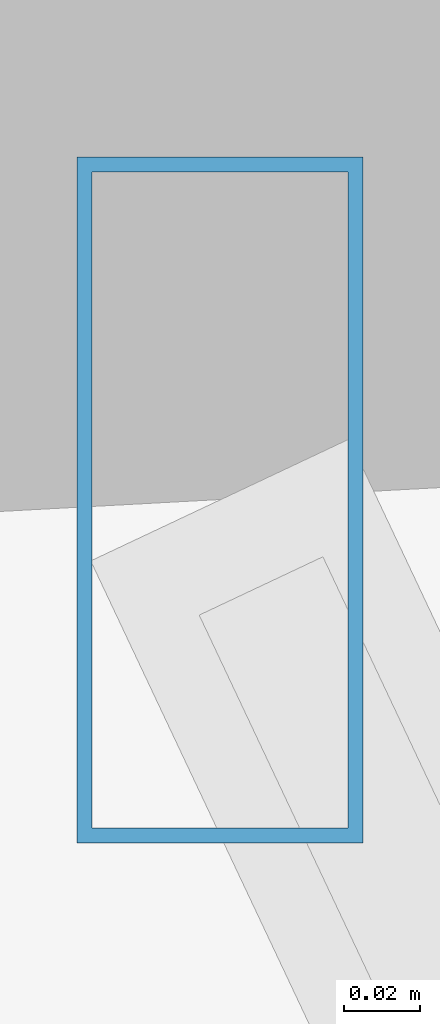
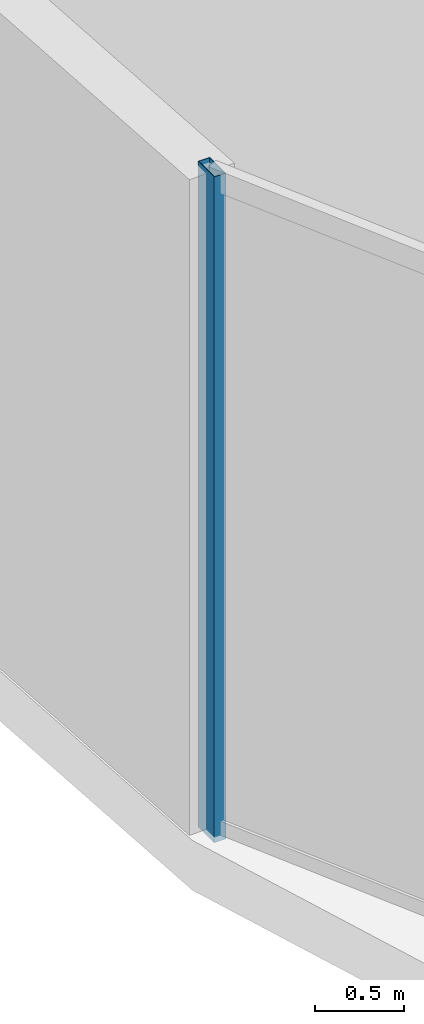
# One storey, part 6 of 36: 1 member, 1 element without a shape of its own.
"""IFC4 building model written with IfcOpenShell, lengths in metres."""

from ifc_helpers import new_model, si_unit, direction, frame, origin, origin_2d, place, context, subcontext, project, spatial, hollow_rectangle, extrude, material, material_profile, profile_set, type_object, element, aggregate, save


model = new_model("IFC4")

# Units and contexts
model_context = context("Model", 3, precision=1e-05, world=origin(), true_north=direction((0.0, 1.0)))
body_context = subcontext(model_context, "Body", "Model", "MODEL_VIEW")
ifc_project = project(units=[si_unit("LENGTHUNIT", "METRE"), si_unit("AREAUNIT", "SQUARE_METRE"), si_unit("VOLUMEUNIT", "CUBIC_METRE"), si_unit("PLANEANGLEUNIT", "RADIAN"), si_unit("MASSUNIT", "GRAM", prefix="KILO")], contexts=[model_context])

# Site, building, storey
site_placement = place(None, origin())
site = spatial("IfcSite", under=ifc_project, at=site_placement, CompositionType="ELEMENT")
building_placement = place(site_placement, origin())
building = spatial("IfcBuilding", under=site, at=building_placement, Name="Vorneva Point Tower", CompositionType="ELEMENT")
storey_placement = place(building_placement, origin())
storey = spatial("IfcBuildingStorey", under=building, at=storey_placement, Name="L00", CompositionType="ELEMENT", Elevation=0.0)

# Curtain wall, member
ifc_material = material(Name="Pale anodised aluminium", Category="aluminium")
curtain_wall_type = type_object("IfcCurtainWallType", Name="CW-POD-SYS", PredefinedType="NOTDEFINED", material=ifc_material)
curtain_wall_placement = place(storey_placement, origin())
curtain_wall = element("IfcCurtainWall", 1, at=curtain_wall_placement, inside=storey, type_object=curtain_wall_type, Name="L00 Unitised Curtain Wall CW-L00-R05", PredefinedType="NOTDEFINED")
ifc_material_profile = material_profile(ifc_material, hollow_rectangle(XDim=0.074951171875, YDim=0.179931640625, WallThickness=0.00390625, at=origin_2d()), Name="AL-MUL 180x75x4")
ifc_profile_set = profile_set([ifc_material_profile], Name="Pale anodised aluminium")
member_type = type_object("IfcMemberType", Name="CW-MUL-180", PredefinedType="MULLION", material=ifc_profile_set)
member_placement = place(storey_placement, frame((2.902587890625, 17.369873046875, -0.0400390625), z_axis=(0.0, 0.0, 1.0), x_axis=(1.0, 0.0, 0.0)))
member = element("IfcMember", 2, at=member_placement, type_object=member_type, Name="CW-L00-R05 Mullion 01", PredefinedType="MULLION", context=body_context, shape_type="SweptSolid", body=[
    extrude(hollow_rectangle(XDim=0.074951171875, YDim=0.179931640625, WallThickness=0.00390625, at=origin_2d()), origin(), (0.0, 0.0, 1.0), 4.550048828125),
])
aggregate(curtain_wall, [member])

save(model, "model.ifc")
